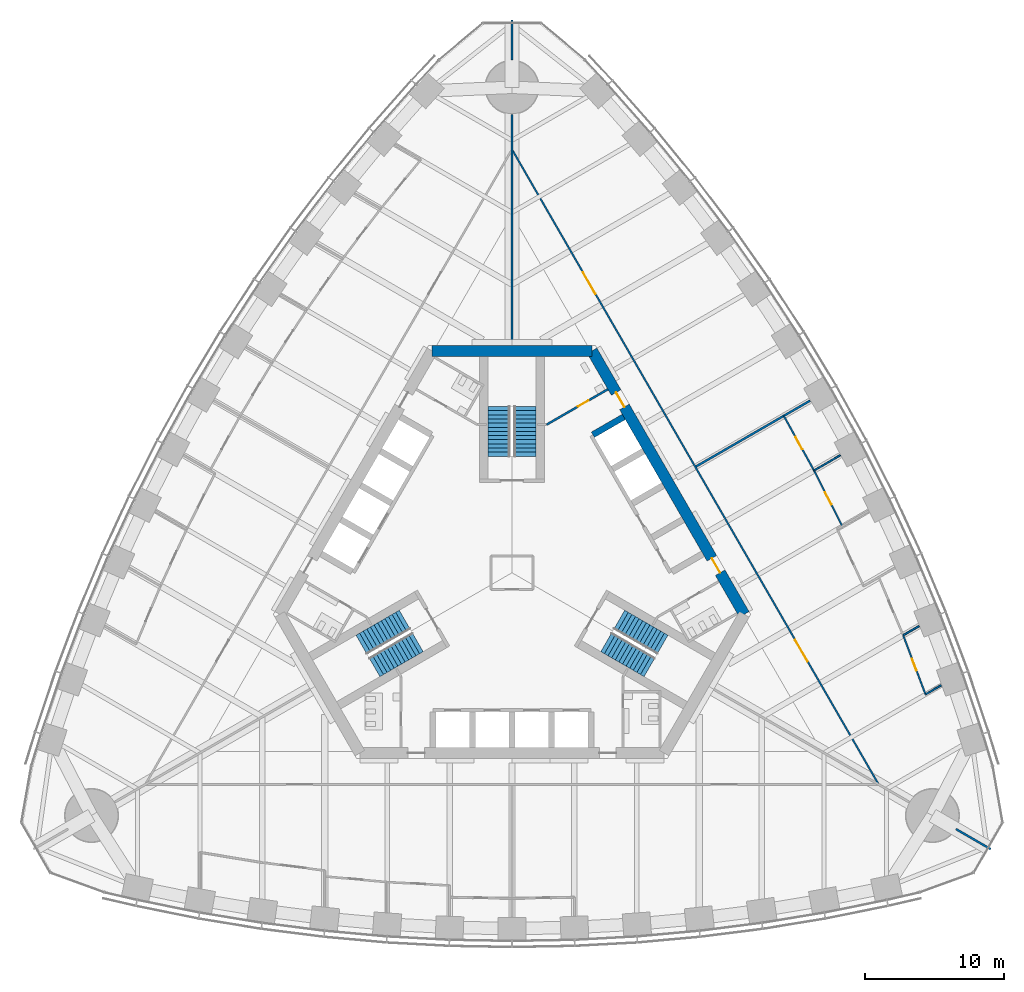
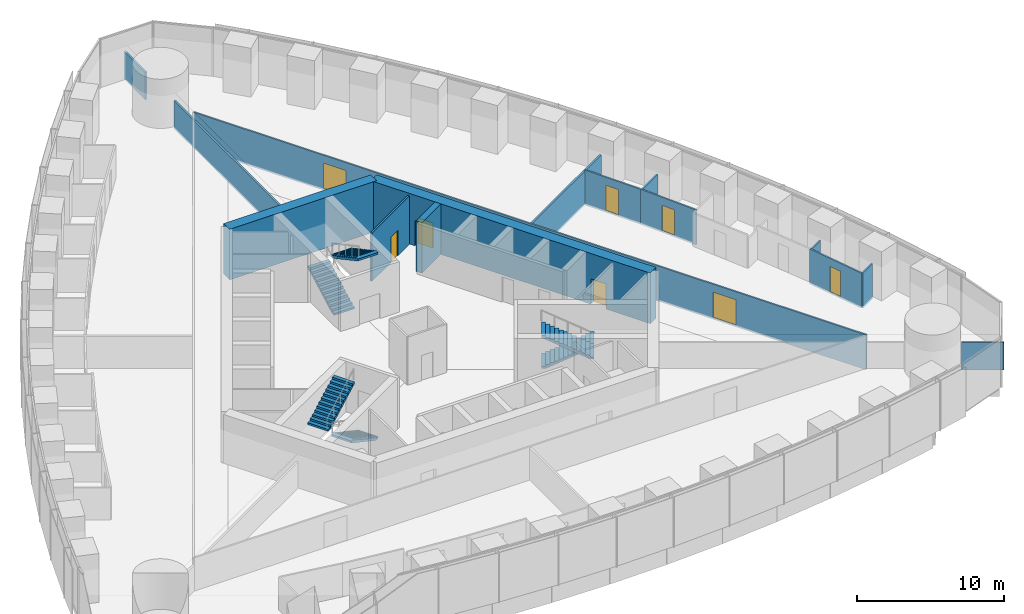
# One storey, part 13 of 18: 15 walls, 8 doors, 6 stair flights, 8 openings, 3 elements without a shape of their own.
"""IFC4 building model written with IfcOpenShell, lengths in metres."""

from ifc_helpers import new_model, si_unit, direction, frame, frame_2d, origin, place, context, subcontext, project, spatial, polyline, rectangle, outline, extrude, material, layer, layer_set, type_object, element, fill, aggregate, save


model = new_model("IFC4")

# Units and contexts
model_context = context("Model", 3, precision=1e-05, world=origin(), true_north=direction((0.0, 1.0)))
body_context = subcontext(model_context, "Body", "Model", "MODEL_VIEW")
ifc_project = project(units=[si_unit("LENGTHUNIT", "METRE"), si_unit("AREAUNIT", "SQUARE_METRE"), si_unit("VOLUMEUNIT", "CUBIC_METRE"), si_unit("PLANEANGLEUNIT", "RADIAN"), si_unit("MASSUNIT", "GRAM", prefix="KILO")], contexts=[model_context])

# Site, building, storey
site_placement = place(None, origin())
site = spatial("IfcSite", under=ifc_project, at=site_placement, CompositionType="ELEMENT")
building_placement = place(site_placement, origin())
building = spatial("IfcBuilding", under=site, at=building_placement, Name="Trefoil Bronze Tower", CompositionType="ELEMENT")
storey_placement = place(building_placement, frame((0.0, 0.0, 161.89990234375)))
storey = spatial("IfcBuildingStorey", under=building, at=storey_placement, Name="L37", CompositionType="ELEMENT", Elevation=161.89990234375)

# Wall, openings, doors
ifc_material_1 = material(Name="Concrete B80", Category="concrete")
ifc_layer_1 = layer(ifc_material_1, 0.800048828125)
ifc_layer_set_1 = layer_set([ifc_layer_1], Name="Core wall 800")
wall_type_1 = type_object("IfcWallType", Name="Core wall 800", PredefinedType="SHEAR", material=ifc_layer_set_1)
wall_1_placement = place(storey_placement, frame((16.7431640625, -3.0, 0.0), z_axis=(0.0, 0.0, 1.0), x_axis=(-0.500002442456, 0.866023993627, 0.0)))
wall_1 = element("IfcWall", 1, at=wall_1_placement, inside=storey, type_object=wall_type_1, Name="Core long wall 2 L37", PredefinedType="SHEAR", context=body_context, shape_type="SweptSolid", body=[
    extrude(rectangle(XDim=21.939453125, YDim=0.800048828125, at=frame_2d((10.9697265625, 0.0))), origin(), (0.0, 0.0, 1.0), 4.2001953125),
])
opening_1_placement = place(wall_1_placement, frame((17.269775390625, 0.0, 0.0)))
opening_1 = element("IfcOpeningElement", 2, at=opening_1_placement, cuts=wall_1, Name="Opening D2", PredefinedType="OPENING", context=body_context, shape_type="SweptSolid", body=[
    extrude(rectangle(XDim=1.199951171875, YDim=2.10009765625, at=frame_2d((0.60009765625, 1.050048828125))), frame((0.0, 0.409912109375, 0.0), z_axis=(0.0, -1.0, 0.0), x_axis=(1.0, 0.0, 0.0)), (0.0, 0.0, 1.0), 0.820068359375),
])
opening_2_placement = place(wall_1_placement, frame((3.4697265625, 0.0, 0.0)))
opening_2 = element("IfcOpeningElement", 3, at=opening_2_placement, cuts=wall_1, Name="Opening D2", PredefinedType="OPENING", context=body_context, shape_type="SweptSolid", body=[
    extrude(rectangle(XDim=1.199951171875, YDim=2.10009765625, at=frame_2d((0.60009765625, 1.050048828125))), frame((0.0, 0.409912109375, 0.0), z_axis=(0.0, -1.0, 0.0), x_axis=(1.0, 0.0, 0.0)), (0.0, 0.0, 1.0), 0.820068359375),
])
ifc_material_2 = material(Name="Steel door", Category="steel")
door_type_1 = type_object("IfcDoorType", Name="Lobby door 1200", OperationType="SINGLE_SWING_RIGHT", PredefinedType="DOOR", material=ifc_material_2)
door_1_placement = place(opening_1_placement, origin())
door_1 = element("IfcDoor", 4, at=door_1_placement, inside=storey, type_object=door_type_1, Name="Lobby door F2+ L37", OperationType="SINGLE_SWING_RIGHT", OverallHeight=2.10009765625, OverallWidth=1.199951171875, PredefinedType="DOOR", context=body_context, shape_type="SweptSolid", body=[
    extrude(rectangle(XDim=1.199951171875, YDim=2.10009765625, at=frame_2d((0.60009765625, 1.050048828125))), frame((0.0, 0.02490234375, 0.0), z_axis=(0.0, -1.0, 0.0), x_axis=(1.0, 0.0, 0.0)), (0.0, 0.0, 1.0), 0.050048828125),
])
fill(opening_1, door_1)
door_2_placement = place(opening_2_placement, origin())
door_2 = element("IfcDoor", 5, at=door_2_placement, inside=storey, type_object=door_type_1, Name="Lobby door F2- L37", OperationType="SINGLE_SWING_LEFT", OverallHeight=2.10009765625, OverallWidth=1.199951171875, PredefinedType="DOOR", context=body_context, shape_type="SweptSolid", body=[
    extrude(rectangle(XDim=1.199951171875, YDim=2.10009765625, at=frame_2d((0.60009765625, 1.050048828125))), frame((0.0, 0.02490234375, 0.0), z_axis=(0.0, -1.0, 0.0), x_axis=(1.0, 0.0, 0.0)), (0.0, 0.0, 1.0), 0.050048828125),
])
fill(opening_2, door_2)

# Wall
wall_2_placement = place(storey_placement, frame((5.7734375, 16.0, 0.0), z_axis=(0.0, 0.0, 1.0), x_axis=(-1.0, 0.0, 0.0)))
element("IfcWall", 6, at=wall_2_placement, inside=storey, type_object=wall_type_1, Name="Core short wall 2 L37", PredefinedType="SHEAR", context=body_context, shape_type="SweptSolid", body=[
    extrude(rectangle(XDim=11.546875, YDim=0.800048828125, at=frame_2d((5.7734375, 0.0))), origin(), (0.0, 0.0, 1.0), 4.2001953125),
])

# Wall, openings, doors
ifc_material_3 = material(Name="Glazed partition", Category="glass")
ifc_layer_2 = layer(ifc_material_3, 0.1201171875)
ifc_layer_set_2 = layer_set([ifc_layer_2], Name="Glazed partition 120")
wall_type_2 = type_object("IfcWallType", Name="Glazed partition 120", PredefinedType="PARTITIONING", material=ifc_layer_set_2)
wall_3_placement = place(storey_placement, frame((26.41455078125, -15.2314453125, 0.0), z_axis=(0.0, 0.0, 1.0), x_axis=(-0.50000091641, 0.866024874695, 0.0)))
wall_3 = element("IfcWall", 7, at=wall_3_placement, inside=storey, type_object=wall_type_2, Name="Partition F2 L37", PredefinedType="PARTITIONING", context=body_context, shape_type="SweptSolid", body=[
    extrude(rectangle(XDim=52.79638671875, YDim=0.1201171875, at=frame_2d((26.398193359375, 0.0))), origin(), (0.0, 0.0, 1.0), 2.900146484375),
])
opening_3_placement = place(wall_3_placement, frame((10.199951171875, 0.0, 0.14990234375)))
opening_3 = element("IfcOpeningElement", 8, at=opening_3_placement, cuts=wall_3, Name="Opening D10", PredefinedType="OPENING", context=body_context, shape_type="SweptSolid", body=[
    extrude(rectangle(XDim=1.800048828125, YDim=2.10009765625, at=frame_2d((0.89990234375, 1.050048828125))), frame((0.0, 0.070068359375, 0.0), z_axis=(0.0, -1.0, 0.0), x_axis=(1.0, 0.0, 0.0)), (0.0, 0.0, 1.0), 0.14013671875),
])
opening_4_placement = place(wall_3_placement, frame((40.800048828125, 0.0, 0.14990234375)))
opening_4 = element("IfcOpeningElement", 9, at=opening_4_placement, cuts=wall_3, Name="Opening D10", PredefinedType="OPENING", context=body_context, shape_type="SweptSolid", body=[
    extrude(rectangle(XDim=1.800048828125, YDim=2.10009765625, at=frame_2d((0.89990234375, 1.050048828125))), frame((0.0, 0.070068359375, 0.0), z_axis=(0.0, -1.0, 0.0), x_axis=(1.0, 0.0, 0.0)), (0.0, 0.0, 1.0), 0.14013671875),
])
ifc_material_4 = material(Name="Timber door", Category="wood")
door_type_2 = type_object("IfcDoorType", Name="Double door 1800", OperationType="DOUBLE_DOOR_SINGLE_SWING", PredefinedType="DOOR", material=ifc_material_4)
door_3_placement = place(opening_3_placement, frame((1.800048828125, 0.0, 0.0), z_axis=(0.0, 0.0, 1.0), x_axis=(-1.0, 0.0, 0.0)))
door_3 = element("IfcDoor", 10, at=door_3_placement, inside=storey, type_object=door_type_2, Name="Corridor door F2 L37", OperationType="DOUBLE_DOOR_SINGLE_SWING", OverallHeight=2.10009765625, OverallWidth=1.800048828125, PredefinedType="DOOR", context=body_context, shape_type="SweptSolid", body=[
    extrude(rectangle(XDim=1.800048828125, YDim=2.10009765625, at=frame_2d((0.89990234375, 1.050048828125))), frame((0.0, 0.02490234375, 0.0), z_axis=(0.0, -1.0, 0.0), x_axis=(1.0, 0.0, 0.0)), (0.0, 0.0, 1.0), 0.050048828125),
])
fill(opening_3, door_3)
door_4_placement = place(opening_4_placement, frame((1.800048828125, 0.0, 0.0), z_axis=(0.0, 0.0, 1.0), x_axis=(-1.0, 0.0, 0.0)))
door_4 = element("IfcDoor", 11, at=door_4_placement, inside=storey, type_object=door_type_2, Name="Corridor door F2 L37", OperationType="DOUBLE_DOOR_SINGLE_SWING", OverallHeight=2.10009765625, OverallWidth=1.800048828125, PredefinedType="DOOR", context=body_context, shape_type="SweptSolid", body=[
    extrude(rectangle(XDim=1.800048828125, YDim=2.10009765625, at=frame_2d((0.89990234375, 1.050048828125))), frame((0.0, 0.02490234375, 0.0), z_axis=(0.0, -1.0, 0.0), x_axis=(1.0, 0.0, 0.0)), (0.0, 0.0, 1.0), 0.050048828125),
])
fill(opening_4, door_4)

# Wall, opening, door
wall_4_placement = place(storey_placement, frame((29.809814453125, -8.77001953125, 0.0), z_axis=(0.0, 0.0, 1.0), x_axis=(-0.35295910498, 0.935638749845, 0.0)))
wall_4 = element("IfcWall", 12, at=wall_4_placement, inside=storey, type_object=wall_type_2, Name="Partition F2 L37", PredefinedType="PARTITIONING", context=body_context, shape_type="SweptSolid", body=[
    extrude(rectangle(XDim=4.560302734375, YDim=0.1201171875, at=frame_2d((2.2802734375, 0.0))), origin(), (0.0, 0.0, 1.0), 2.900146484375),
])
opening_5_placement = place(wall_4_placement, frame((1.85009765625, 0.0, 0.14990234375)))
opening_5 = element("IfcOpeningElement", 13, at=opening_5_placement, cuts=wall_4, Name="Opening D8", PredefinedType="OPENING", context=body_context, shape_type="SweptSolid", body=[
    extrude(rectangle(XDim=0.89990234375, YDim=2.10009765625, at=frame_2d((0.449951171875, 1.050048828125))), frame((0.0, 0.070068359375, 0.0), z_axis=(0.0, -1.0, 0.0), x_axis=(1.0, 0.0, 0.0)), (0.0, 0.0, 1.0), 0.14013671875),
])
ifc_material_5 = material(Name="Timber door", Category="wood")
door_type_3 = type_object("IfcDoorType", Name="Office door 900", OperationType="SINGLE_SWING_LEFT", PredefinedType="DOOR", material=ifc_material_5)
door_5_placement = place(opening_5_placement, frame((0.89990234375, 0.0, 0.0), z_axis=(0.0, 0.0, 1.0), x_axis=(-1.0, 0.0, 0.0)))
door_5 = element("IfcDoor", 14, at=door_5_placement, inside=storey, type_object=door_type_3, Name="Focus room door F2 L37", OperationType="SINGLE_SWING_LEFT", OverallHeight=2.10009765625, OverallWidth=0.89990234375, PredefinedType="DOOR", context=body_context, shape_type="SweptSolid", body=[
    extrude(rectangle(XDim=0.89990234375, YDim=2.10009765625, at=frame_2d((0.449951171875, 1.050048828125))), frame((0.0, 0.02490234375, 0.0), z_axis=(0.0, -1.0, 0.0), x_axis=(1.0, 0.0, 0.0)), (0.0, 0.0, 1.0), 0.050048828125),
])
fill(opening_5, door_5)

wall_5_placement = place(storey_placement, frame((21.773193359375, 7.374755859375, 0.0), z_axis=(0.0, 0.0, 1.0), x_axis=(-0.484315883017, 0.87489320803, 0.0)))
wall_5 = element("IfcWall", 15, at=wall_5_placement, inside=storey, type_object=wall_type_2, Name="Partition F2 L37", PredefinedType="PARTITIONING", context=body_context, shape_type="SweptSolid", body=[
    extrude(rectangle(XDim=4.50048828125, YDim=0.1201171875, at=frame_2d((2.250244140625, 0.0))), origin(), (0.0, 0.0, 1.0), 2.900146484375),
])
opening_6_placement = place(wall_5_placement, frame((1.75, 0.0, 0.14990234375)))
opening_6 = element("IfcOpeningElement", 16, at=opening_6_placement, cuts=wall_5, Name="Opening D9", PredefinedType="OPENING", context=body_context, shape_type="SweptSolid", body=[
    extrude(rectangle(XDim=1.0, YDim=2.10009765625, at=frame_2d((0.5, 1.050048828125))), frame((0.0, 0.070068359375, 0.0), z_axis=(0.0, -1.0, 0.0), x_axis=(1.0, 0.0, 0.0)), (0.0, 0.0, 1.0), 0.14013671875),
])
ifc_material_6 = material(Name="Glazed timber door", Category="wood")
door_type_4 = type_object("IfcDoorType", Name="Meeting room door 1000", OperationType="SINGLE_SWING_LEFT", PredefinedType="DOOR", material=ifc_material_6)
door_6_placement = place(opening_6_placement, frame((1.0, 0.0, 0.0), z_axis=(0.0, 0.0, 1.0), x_axis=(-1.0, 0.0, 0.0)))
door_6 = element("IfcDoor", 17, at=door_6_placement, inside=storey, type_object=door_type_4, Name="Team room door F2 L37", OperationType="SINGLE_SWING_RIGHT", OverallHeight=2.10009765625, OverallWidth=1.0, PredefinedType="DOOR", context=body_context, shape_type="SweptSolid", body=[
    extrude(rectangle(XDim=1.0, YDim=2.10009765625, at=frame_2d((0.5, 1.050048828125))), frame((0.0, 0.02490234375, 0.0), z_axis=(0.0, -1.0, 0.0), x_axis=(1.0, 0.0, 0.0)), (0.0, 0.0, 1.0), 0.050048828125),
])
fill(opening_6, door_6)

wall_6_placement = place(storey_placement, frame((23.812255859375, 3.355712890625, 0.0), z_axis=(0.0, 0.0, 1.0), x_axis=(-0.452449820092, 0.891789863308, 0.0)))
wall_6 = element("IfcWall", 18, at=wall_6_placement, inside=storey, type_object=wall_type_2, Name="Partition F2 L37", PredefinedType="PARTITIONING", context=body_context, shape_type="SweptSolid", body=[
    extrude(rectangle(XDim=4.5068359375, YDim=0.1201171875, at=frame_2d((2.25341796875, 0.0))), origin(), (0.0, 0.0, 1.0), 2.900146484375),
])
opening_7_placement = place(wall_6_placement, frame((1.75, 0.0, 0.14990234375)))
opening_7 = element("IfcOpeningElement", 19, at=opening_7_placement, cuts=wall_6, Name="Opening D9", PredefinedType="OPENING", context=body_context, shape_type="SweptSolid", body=[
    extrude(rectangle(XDim=1.0, YDim=2.10009765625, at=frame_2d((0.5, 1.050048828125))), frame((0.0, 0.070068359375, 0.0), z_axis=(0.0, -1.0, 0.0), x_axis=(1.0, 0.0, 0.0)), (0.0, 0.0, 1.0), 0.14013671875),
])
door_7_placement = place(opening_7_placement, frame((1.0, 0.0, 0.0), z_axis=(0.0, 0.0, 1.0), x_axis=(-1.0, 0.0, 0.0)))
door_7 = element("IfcDoor", 20, at=door_7_placement, inside=storey, type_object=door_type_4, Name="Team room door F2 L37", OperationType="SINGLE_SWING_RIGHT", OverallHeight=2.10009765625, OverallWidth=1.0, PredefinedType="DOOR", context=body_context, shape_type="SweptSolid", body=[
    extrude(rectangle(XDim=1.0, YDim=2.10009765625, at=frame_2d((0.5, 1.050048828125))), frame((0.0, 0.02490234375, 0.0), z_axis=(0.0, -1.0, 0.0), x_axis=(1.0, 0.0, 0.0)), (0.0, 0.0, 1.0), 0.050048828125),
])
fill(opening_7, door_7)

# Walls
wall_7_placement = place(storey_placement, frame((28.2001953125, -4.503173828125, 0.0), z_axis=(0.0, 0.0, 1.0), x_axis=(0.866017214255, 0.500014184414, 0.0)))
element("IfcWall", 21, at=wall_7_placement, inside=storey, type_object=wall_type_2, Name="Partition F2 L37", PredefinedType="PARTITIONING", context=body_context, shape_type="SweptSolid", body=[
    extrude(rectangle(XDim=1.328125, YDim=0.1201171875, at=frame_2d((0.6640625, 0.0))), origin(), (0.0, 0.0, 1.0), 2.800048828125),
])
wall_8_placement = place(storey_placement, frame((29.809814453125, -8.77001953125, 0.0), z_axis=(0.0, 0.0, 1.0), x_axis=(0.86603442848, 0.499984368442, 0.0)))
element("IfcWall", 22, at=wall_8_placement, inside=storey, type_object=wall_type_2, Name="Partition F2 L37", PredefinedType="PARTITIONING", context=body_context, shape_type="SweptSolid", body=[
    extrude(rectangle(XDim=1.31787109375, YDim=0.1201171875, at=frame_2d((0.658935546875, 0.0))), origin(), (0.0, 0.0, 1.0), 2.900146484375),
])
wall_9_placement = place(storey_placement, frame((21.773193359375, 7.374755859375, 0.0), z_axis=(0.0, 0.0, 1.0), x_axis=(0.866050320478, 0.499956840538, 0.0)))
element("IfcWall", 23, at=wall_9_placement, inside=storey, type_object=wall_type_2, Name="Partition F2 L37", PredefinedType="PARTITIONING", context=body_context, shape_type="SweptSolid", body=[
    extrude(rectangle(XDim=2.194091796875, YDim=0.1201171875, at=frame_2d((1.09716796875, 0.0))), origin(), (0.0, 0.0, 1.0), 2.800048828125),
])
ifc_material_7 = material(Name="Concrete B80", Category="concrete")
ifc_layer_3 = layer(ifc_material_7, 0.449951171875)
ifc_layer_set_3 = layer_set([ifc_layer_3], Name="Outrigger shaft wall 450")
wall_type_3 = type_object("IfcWallType", Name="Outrigger shaft wall 450", PredefinedType="SHEAR", material=ifc_layer_set_3)
wall_10_placement = place(storey_placement, frame((5.831787109375, 9.94873046875, 0.0), z_axis=(0.0, 0.0, 1.0), x_axis=(0.866029291668, 0.499993265928, 0.0)))
element("IfcWall", 24, at=wall_10_placement, inside=storey, type_object=wall_type_3, Name="Lift shaft side wall B4 L37", PredefinedType="SHEAR", context=body_context, shape_type="SweptSolid", body=[
    extrude(rectangle(XDim=2.5751953125, YDim=0.449951171875, at=frame_2d((1.28759765625, 0.0))), origin(), (0.0, 0.0, 1.0), 4.2001953125),
])

# Wall, opening, door
ifc_material_8 = material(Name="Gypsum board on steel studs", Category="steel")
ifc_layer_4 = layer(ifc_material_8, 0.14990234375)
ifc_layer_set_4 = layer_set([ifc_layer_4], Name="Partition 150")
wall_type_4 = type_object("IfcWallType", Name="Partition 150", PredefinedType="PARTITIONING", material=ifc_layer_set_4)
wall_11_placement = place(storey_placement, frame((2.4951171875, 10.67822265625, 0.0), z_axis=(0.0, 0.0, 1.0), x_axis=(0.86602216432, 0.500005610874, 0.0)))
wall_11 = element("IfcWall", 25, at=wall_11_placement, inside=storey, type_object=wall_type_4, Name="Passage wall F2+ L37", PredefinedType="PARTITIONING", context=body_context, shape_type="SweptSolid", body=[
    extrude(rectangle(XDim=5.10009765625, YDim=0.14990234375, at=frame_2d((2.550048828125, 0.0))), origin(), (0.0, 0.0, 1.0), 4.0),
])
opening_8_placement = place(wall_11_placement, frame((2.60009765625, 0.0, 0.0)))
opening_8 = element("IfcOpeningElement", 26, at=opening_8_placement, cuts=wall_11, Name="Opening D3", PredefinedType="OPENING", context=body_context, shape_type="SweptSolid", body=[
    extrude(rectangle(XDim=0.89990234375, YDim=2.10009765625, at=frame_2d((0.449951171875, 1.050048828125))), frame((0.0, 0.0849609375, 0.0), z_axis=(0.0, -1.0, 0.0), x_axis=(1.0, 0.0, 0.0)), (0.0, 0.0, 1.0), 0.169921875),
])
ifc_material_9 = material(Name="Timber door", Category="wood")
door_type_5 = type_object("IfcDoorType", Name="WC door 900", OperationType="SINGLE_SWING_LEFT", PredefinedType="DOOR", material=ifc_material_9)
door_8_placement = place(opening_8_placement, origin())
door_8 = element("IfcDoor", 27, at=door_8_placement, inside=storey, type_object=door_type_5, Name="Accessible WC door L37", OperationType="SINGLE_SWING_RIGHT", OverallHeight=2.10009765625, OverallWidth=0.89990234375, PredefinedType="DOOR", context=body_context, shape_type="SweptSolid", body=[
    extrude(rectangle(XDim=0.89990234375, YDim=2.10009765625, at=frame_2d((0.449951171875, 1.050048828125))), frame((0.0, 0.02490234375, 0.0), z_axis=(0.0, -1.0, 0.0), x_axis=(1.0, 0.0, 0.0)), (0.0, 0.0, 1.0), 0.050048828125),
])
fill(opening_8, door_8)

# Walls
ifc_material_10 = material(Name="Gypsum board on steel studs", Category="steel")
ifc_layer_5 = layer(ifc_material_10, 0.14990234375)
ifc_layer_set_5 = layer_set([ifc_layer_5], Name="Party wall 150")
wall_type_5 = type_object("IfcWallType", Name="Party wall 150", PredefinedType="PARTITIONING", material=ifc_layer_set_5)
wall_12_placement = place(storey_placement, frame((31.999755859375, -18.47509765625, 0.0), z_axis=(0.0, 0.0, 1.0), x_axis=(0.866042548026, -0.499970304126, 0.0)))
element("IfcWall", 28, at=wall_12_placement, inside=storey, type_object=wall_type_5, Name="Party wall K1 L37", PredefinedType="PARTITIONING", context=body_context, shape_type="SweptSolid", body=[
    extrude(rectangle(XDim=2.899169921875, YDim=0.14990234375, at=frame_2d((1.44970703125, 0.0))), origin(), (0.0, 0.0, 1.0), 2.300048828125),
])
wall_13_placement = place(storey_placement, frame((0.0, 16.39990234375, 0.0), z_axis=(0.0, 0.0, 1.0), x_axis=(0.0, 1.0, 0.0)))
element("IfcWall", 29, at=wall_13_placement, inside=storey, type_object=wall_type_5, Name="Party wall K2 L37", PredefinedType="PARTITIONING", context=body_context, shape_type="SweptSolid", body=[
    extrude(rectangle(XDim=16.650146484375, YDim=0.14990234375, at=frame_2d((8.3251953125, 0.0))), origin(), (0.0, 0.0, 1.0), 2.300048828125),
])
wall_14_placement = place(storey_placement, frame((0.0, 36.949951171875, 0.0), z_axis=(0.0, 0.0, 1.0), x_axis=(0.0, 1.0, 0.0)))
element("IfcWall", 30, at=wall_14_placement, inside=storey, type_object=wall_type_5, Name="Party wall K2 L37", PredefinedType="PARTITIONING", context=body_context, shape_type="SweptSolid", body=[
    extrude(rectangle(XDim=2.8994140625, YDim=0.14990234375, at=frame_2d((1.44970703125, 0.0))), origin(), (0.0, 0.0, 1.0), 2.300048828125),
])
wall_15_placement = place(storey_placement, frame((13.267578125, 7.659912109375, 0.0), z_axis=(0.0, 0.0, 1.0), x_axis=(0.866013963754, 0.500019814191, 0.0)))
element("IfcWall", 31, at=wall_15_placement, inside=storey, type_object=wall_type_5, Name="Demising wall F2 L37", PredefinedType="PARTITIONING", context=body_context, shape_type="SweptSolid", body=[
    extrude(rectangle(XDim=9.49951171875, YDim=0.14990234375, at=frame_2d((4.749755859375, 0.0))), origin(), (0.0, 0.0, 1.0), 2.800048828125),
])

# Stair, stair flights
ifc_material_11 = material(Name="Precast concrete B80", Category="concrete")
stair_type = type_object("IfcStairType", Name="Exit stair 26 risers", PredefinedType="HALF_TURN_STAIR", material=ifc_material_11)
stair_1_placement = place(storey_placement, origin())
stair_1 = element("IfcStair", 32, at=stair_1_placement, inside=storey, type_object=stair_type, Name="Stair ST1 L37", PredefinedType="HALF_TURN_STAIR")
ifc_material_12 = material(Name="Precast concrete B80", Category="concrete")
stair_flight_type = type_object("IfcStairFlightType", Name="Stair flight 1600", PredefinedType="STRAIGHT", material=ifc_material_12)
stair_flight_1_placement = place(storey_placement, frame((7.728515625, -3.39404296875, 0.0), z_axis=(0.0, 0.0, 1.0), x_axis=(0.866025403784, -0.5, 0.0)))
stair_flight_1 = element("IfcStairFlight", 33, at=stair_flight_1_placement, type_object=stair_flight_type, Name="ST1 flight 1", NumberOfRisers=13, NumberOfTreads=12, PredefinedType="STRAIGHT", RiserHeight=0.161538462, TreadLength=0.3, context=body_context, shape_type="SweptSolid", body=[
    extrude(outline(polyline([(0.0, 0.0), (0.0, 0.16162109375), (0.300048828125, 0.16162109375), (0.300048828125, 0.322998046875), (0.60009765625, 0.322998046875), (0.60009765625, 0.484619140625), (0.89990234375, 0.484619140625), (0.89990234375, 0.646240234375), (1.199951171875, 0.646240234375), (1.199951171875, 0.8076171875), (1.5, 0.8076171875), (1.5, 0.96923828125), (1.800048828125, 0.96923828125), (1.800048828125, 1.130859375), (2.10009765625, 1.130859375), (2.10009765625, 1.292236328125), (2.39990234375, 1.292236328125), (2.39990234375, 1.453857421875), (2.699951171875, 1.453857421875), (2.699951171875, 1.615478515625), (3.0, 1.615478515625), (3.0, 1.77685546875), (3.300048828125, 1.77685546875), (3.300048828125, 1.9384765625), (3.60009765625, 1.9384765625), (3.60009765625, 2.10009765625), (3.60009765625, 1.768310546875), (0.316162109375, 0.0), (0.0, 0.0)])), frame((0.0, 0.800048828125, 0.0), z_axis=(0.0, -1.0, 0.0), x_axis=(1.0, 0.0, 0.0)), (0.0, 0.0, 1.0), 1.60009765625),
])
stair_flight_2_placement = place(storey_placement, frame((9.921142578125, -6.796142578125, 2.10009765625), z_axis=(0.0, 0.0, 1.0), x_axis=(-0.866025403784, 0.5, 0.0)))
stair_flight_2 = element("IfcStairFlight", 34, at=stair_flight_2_placement, type_object=stair_flight_type, Name="ST1 flight 2", NumberOfRisers=13, NumberOfTreads=12, PredefinedType="STRAIGHT", RiserHeight=0.161538462, TreadLength=0.3, context=body_context, shape_type="SweptSolid", body=[
    extrude(outline(polyline([(0.0, 0.0), (0.0, 0.16162109375), (0.300048828125, 0.16162109375), (0.300048828125, 0.322998046875), (0.60009765625, 0.322998046875), (0.60009765625, 0.484619140625), (0.89990234375, 0.484619140625), (0.89990234375, 0.646240234375), (1.199951171875, 0.646240234375), (1.199951171875, 0.8076171875), (1.5, 0.8076171875), (1.5, 0.96923828125), (1.800048828125, 0.96923828125), (1.800048828125, 1.130859375), (2.10009765625, 1.130859375), (2.10009765625, 1.292236328125), (2.39990234375, 1.292236328125), (2.39990234375, 1.453857421875), (2.699951171875, 1.453857421875), (2.699951171875, 1.615478515625), (3.0, 1.615478515625), (3.0, 1.77685546875), (3.300048828125, 1.77685546875), (3.300048828125, 1.9384765625), (3.60009765625, 1.9384765625), (3.60009765625, 2.10009765625), (3.60009765625, 1.768310546875), (0.316162109375, 0.0), (0.0, 0.0)])), frame((0.0, 0.800048828125, 0.0), z_axis=(0.0, -1.0, 0.0), x_axis=(1.0, 0.0, 0.0)), (0.0, 0.0, 1.0), 1.60009765625),
])
aggregate(stair_1, [stair_flight_1, stair_flight_2])

stair_2_placement = place(storey_placement, origin())
stair_2 = element("IfcStair", 35, at=stair_2_placement, inside=storey, type_object=stair_type, Name="Stair ST2 L37", PredefinedType="HALF_TURN_STAIR")
stair_flight_3_placement = place(storey_placement, frame((-0.925048828125, 8.389892578125, 0.0), z_axis=(0.0, 0.0, 1.0), x_axis=(0.0, 1.0, 0.0)))
stair_flight_3 = element("IfcStairFlight", 36, at=stair_flight_3_placement, type_object=stair_flight_type, Name="ST2 flight 1", NumberOfRisers=13, NumberOfTreads=12, PredefinedType="STRAIGHT", RiserHeight=0.161538462, TreadLength=0.3, context=body_context, shape_type="SweptSolid", body=[
    extrude(outline(polyline([(0.0, 0.0), (0.0, 0.16162109375), (0.300048828125, 0.16162109375), (0.300048828125, 0.322998046875), (0.60009765625, 0.322998046875), (0.60009765625, 0.484619140625), (0.89990234375, 0.484619140625), (0.89990234375, 0.646240234375), (1.199951171875, 0.646240234375), (1.199951171875, 0.8076171875), (1.5, 0.8076171875), (1.5, 0.96923828125), (1.800048828125, 0.96923828125), (1.800048828125, 1.130859375), (2.10009765625, 1.130859375), (2.10009765625, 1.292236328125), (2.39990234375, 1.292236328125), (2.39990234375, 1.453857421875), (2.699951171875, 1.453857421875), (2.699951171875, 1.615478515625), (3.0, 1.615478515625), (3.0, 1.77685546875), (3.300048828125, 1.77685546875), (3.300048828125, 1.9384765625), (3.60009765625, 1.9384765625), (3.60009765625, 2.10009765625), (3.60009765625, 1.768310546875), (0.316162109375, 0.0), (0.0, 0.0)])), frame((0.0, 0.800048828125, 0.0), z_axis=(0.0, -1.0, 0.0), x_axis=(1.0, 0.0, 0.0)), (0.0, 0.0, 1.0), 1.60009765625),
])
stair_flight_4_placement = place(storey_placement, frame((0.925048828125, 11.989990234375, 2.10009765625), z_axis=(0.0, 0.0, 1.0), x_axis=(0.0, -1.0, 0.0)))
stair_flight_4 = element("IfcStairFlight", 37, at=stair_flight_4_placement, type_object=stair_flight_type, Name="ST2 flight 2", NumberOfRisers=13, NumberOfTreads=12, PredefinedType="STRAIGHT", RiserHeight=0.161538462, TreadLength=0.3, context=body_context, shape_type="SweptSolid", body=[
    extrude(outline(polyline([(0.0, 0.0), (0.0, 0.16162109375), (0.300048828125, 0.16162109375), (0.300048828125, 0.322998046875), (0.60009765625, 0.322998046875), (0.60009765625, 0.484619140625), (0.89990234375, 0.484619140625), (0.89990234375, 0.646240234375), (1.199951171875, 0.646240234375), (1.199951171875, 0.8076171875), (1.5, 0.8076171875), (1.5, 0.96923828125), (1.800048828125, 0.96923828125), (1.800048828125, 1.130859375), (2.10009765625, 1.130859375), (2.10009765625, 1.292236328125), (2.39990234375, 1.292236328125), (2.39990234375, 1.453857421875), (2.699951171875, 1.453857421875), (2.699951171875, 1.615478515625), (3.0, 1.615478515625), (3.0, 1.77685546875), (3.300048828125, 1.77685546875), (3.300048828125, 1.9384765625), (3.60009765625, 1.9384765625), (3.60009765625, 2.10009765625), (3.60009765625, 1.768310546875), (0.316162109375, 0.0), (0.0, 0.0)])), frame((0.0, 0.800048828125, 0.0), z_axis=(0.0, -1.0, 0.0), x_axis=(1.0, 0.0, 0.0)), (0.0, 0.0, 1.0), 1.60009765625),
])
aggregate(stair_2, [stair_flight_3, stair_flight_4])

stair_3_placement = place(storey_placement, origin())
stair_3 = element("IfcStair", 38, at=stair_3_placement, inside=storey, type_object=stair_type, Name="Stair ST3 L37", PredefinedType="HALF_TURN_STAIR")
stair_flight_5_placement = place(storey_placement, frame((-6.803466796875, -4.99609375, 0.0), z_axis=(0.0, 0.0, 1.0), x_axis=(-0.866025403784, -0.5, 0.0)))
stair_flight_5 = element("IfcStairFlight", 39, at=stair_flight_5_placement, type_object=stair_flight_type, Name="ST3 flight 1", NumberOfRisers=13, NumberOfTreads=12, PredefinedType="STRAIGHT", RiserHeight=0.161538462, TreadLength=0.3, context=body_context, shape_type="SweptSolid", body=[
    extrude(outline(polyline([(0.0, 0.0), (0.0, 0.16162109375), (0.300048828125, 0.16162109375), (0.300048828125, 0.322998046875), (0.60009765625, 0.322998046875), (0.60009765625, 0.484619140625), (0.89990234375, 0.484619140625), (0.89990234375, 0.646240234375), (1.199951171875, 0.646240234375), (1.199951171875, 0.8076171875), (1.5, 0.8076171875), (1.5, 0.96923828125), (1.800048828125, 0.96923828125), (1.800048828125, 1.130859375), (2.10009765625, 1.130859375), (2.10009765625, 1.292236328125), (2.39990234375, 1.292236328125), (2.39990234375, 1.453857421875), (2.699951171875, 1.453857421875), (2.699951171875, 1.615478515625), (3.0, 1.615478515625), (3.0, 1.77685546875), (3.300048828125, 1.77685546875), (3.300048828125, 1.9384765625), (3.60009765625, 1.9384765625), (3.60009765625, 2.10009765625), (3.60009765625, 1.768310546875), (0.316162109375, 0.0), (0.0, 0.0)])), frame((0.0, 0.800048828125, 0.0), z_axis=(0.0, -1.0, 0.0), x_axis=(1.0, 0.0, 0.0)), (0.0, 0.0, 1.0), 1.60009765625),
])
stair_flight_6_placement = place(storey_placement, frame((-10.84619140625, -5.19384765625, 2.10009765625), z_axis=(0.0, 0.0, 1.0), x_axis=(0.866025403784, 0.5, 0.0)))
stair_flight_6 = element("IfcStairFlight", 40, at=stair_flight_6_placement, type_object=stair_flight_type, Name="ST3 flight 2", NumberOfRisers=13, NumberOfTreads=12, PredefinedType="STRAIGHT", RiserHeight=0.161538462, TreadLength=0.3, context=body_context, shape_type="SweptSolid", body=[
    extrude(outline(polyline([(0.0, 0.0), (0.0, 0.16162109375), (0.300048828125, 0.16162109375), (0.300048828125, 0.322998046875), (0.60009765625, 0.322998046875), (0.60009765625, 0.484619140625), (0.89990234375, 0.484619140625), (0.89990234375, 0.646240234375), (1.199951171875, 0.646240234375), (1.199951171875, 0.8076171875), (1.5, 0.8076171875), (1.5, 0.96923828125), (1.800048828125, 0.96923828125), (1.800048828125, 1.130859375), (2.10009765625, 1.130859375), (2.10009765625, 1.292236328125), (2.39990234375, 1.292236328125), (2.39990234375, 1.453857421875), (2.699951171875, 1.453857421875), (2.699951171875, 1.615478515625), (3.0, 1.615478515625), (3.0, 1.77685546875), (3.300048828125, 1.77685546875), (3.300048828125, 1.9384765625), (3.60009765625, 1.9384765625), (3.60009765625, 2.10009765625), (3.60009765625, 1.768310546875), (0.316162109375, 0.0), (0.0, 0.0)])), frame((0.0, 0.800048828125, 0.0), z_axis=(0.0, -1.0, 0.0), x_axis=(1.0, 0.0, 0.0)), (0.0, 0.0, 1.0), 1.60009765625),
])
aggregate(stair_3, [stair_flight_5, stair_flight_6])

save(model, "model.ifc")
